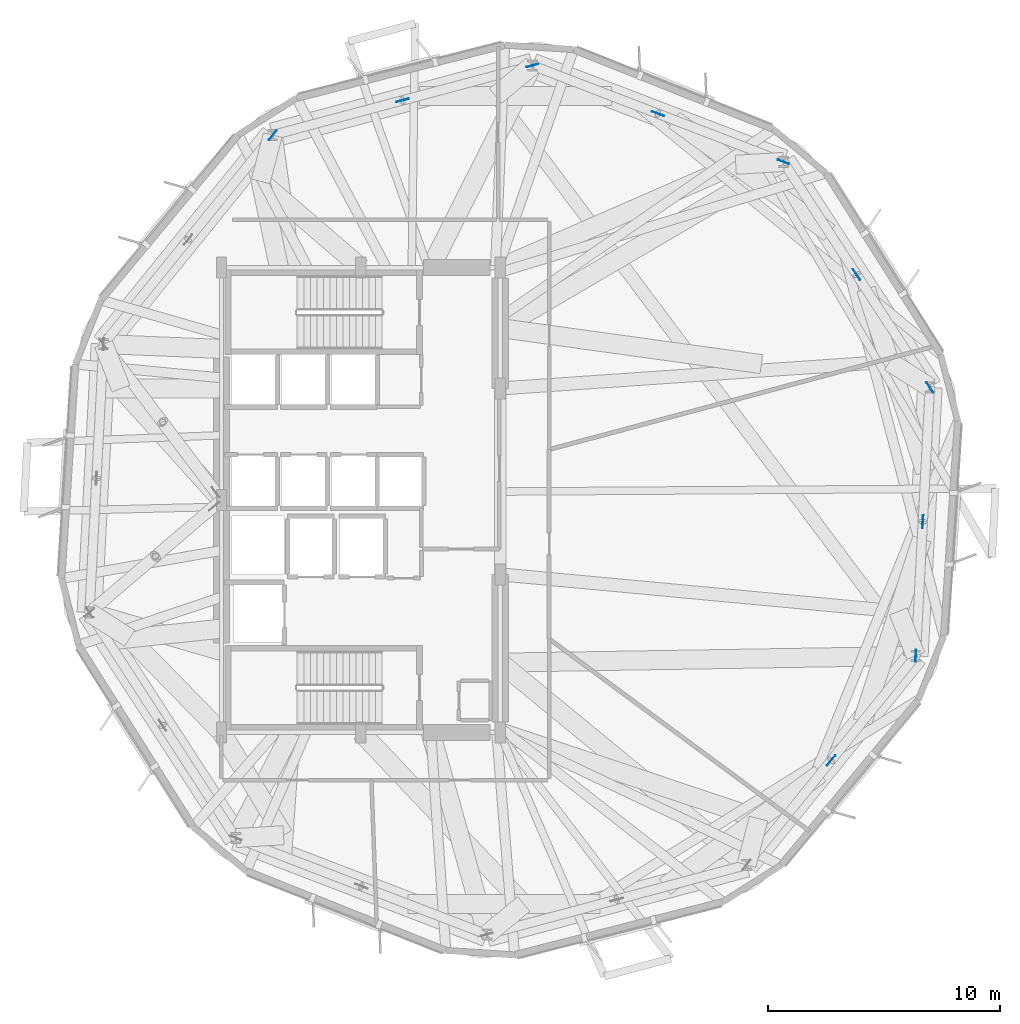
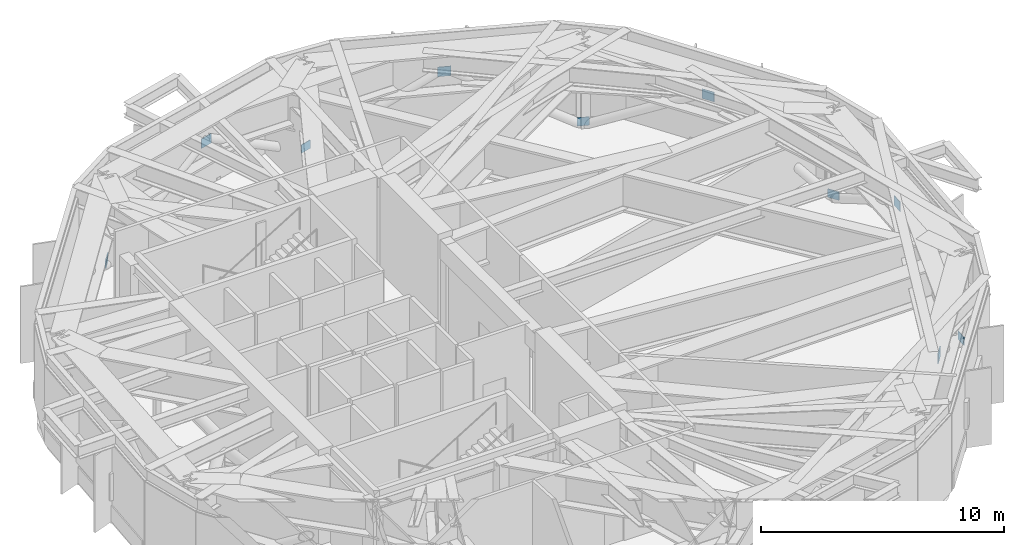
# One storey, part 7 of 13: 10 plates.
"""IFC4 building model written with IfcOpenShell, lengths in metres."""

from ifc_helpers import new_model, si_unit, direction, frame, origin, origin_2d, place, context, subcontext, project, spatial, rectangle, extrude, material, layer, layer_set, type_object, element, save


model = new_model("IFC4")

# Units and contexts
model_context = context("Model", 3, precision=1e-05, world=origin(), true_north=direction((0.0, 1.0)))
body_context = subcontext(model_context, "Body", "Model", "MODEL_VIEW")
ifc_project = project(units=[si_unit("LENGTHUNIT", "METRE"), si_unit("AREAUNIT", "SQUARE_METRE"), si_unit("VOLUMEUNIT", "CUBIC_METRE"), si_unit("PLANEANGLEUNIT", "RADIAN"), si_unit("MASSUNIT", "GRAM", prefix="KILO")], contexts=[model_context])

# Site, building, storey
site_placement = place(None, origin())
site = spatial("IfcSite", under=ifc_project, at=site_placement, CompositionType="ELEMENT")
building_placement = place(site_placement, origin())
building = spatial("IfcBuilding", under=site, at=building_placement, Name="Soratama Intermodal Tower", CompositionType="ELEMENT")
storey_placement = place(building_placement, frame((0.0, 0.0, 82.60009765625)))
storey = spatial("IfcBuildingStorey", under=building, at=storey_placement, Name="L19", CompositionType="ELEMENT", Elevation=82.60009765625)

# Plates
ifc_material = material(Name="Structural steel ASTM A992 Grade 50", Category="steel")
ifc_layer = layer(ifc_material, 0.030029296875)
ifc_layer_set = layer_set([ifc_layer], Name="Structural steel ASTM A992 Grade 50")
plate_type = type_object("IfcPlateType", Name="PL-GUSSET-30", PredefinedType="USERDEFINED", material=ifc_layer_set)
plate_1_placement = place(storey_placement, frame((59.931396484375, 34.696533203125, 3.099853515625), z_axis=(0.0, 0.0, 1.0), x_axis=(-0.544639035015, 0.838670567945, 0.0)))
element("IfcPlate", 1, at=plate_1_placement, inside=storey, type_object=plate_type, Name="L19 Belt Truss Apex Gusset 01", ObjectType="GUSSET PLATE", PredefinedType="USERDEFINED", context=body_context, shape_type="SweptSolid", body=[
    extrude(rectangle(XDim=0.56005859375, YDim=0.030029296875, at=origin_2d()), origin(), (0.0, 0.0, 1.0), 0.47998046875),
])
plate_2_placement = place(storey_placement, frame((63.08203125, 29.84521484375, -0.02001953125), z_axis=(0.0, 0.0, 1.0), x_axis=(-0.544639035015, 0.838670567945, 0.0)))
element("IfcPlate", 2, at=plate_2_placement, inside=storey, type_object=plate_type, Name="L19 Belt Truss Foot Gusset 01", ObjectType="GUSSET PLATE", PredefinedType="USERDEFINED", context=body_context, shape_type="SweptSolid", body=[
    extrude(rectangle(XDim=0.52001953125, YDim=0.030029296875, at=origin_2d()), origin(), (0.0, 0.0, 1.0), 0.419921875),
])
plate_3_placement = place(storey_placement, frame((51.38037109375, 41.621337890625, 3.099853515625), z_axis=(0.0, 0.0, 1.0), x_axis=(-0.933580426497, 0.358367949545, 0.0)))
element("IfcPlate", 3, at=plate_3_placement, inside=storey, type_object=plate_type, Name="L19 Belt Truss Apex Gusset 02", ObjectType="GUSSET PLATE", PredefinedType="USERDEFINED", context=body_context, shape_type="SweptSolid", body=[
    extrude(rectangle(XDim=0.56005859375, YDim=0.030029296875, at=origin_2d()), origin(), (0.0, 0.0, 1.0), 0.47998046875),
])
plate_4_placement = place(storey_placement, frame((56.781005859375, 39.548095703125, -0.02001953125), z_axis=(0.0, 0.0, 1.0), x_axis=(-0.933580426497, 0.358367949545, 0.0)))
element("IfcPlate", 4, at=plate_4_placement, inside=storey, type_object=plate_type, Name="L19 Belt Truss Foot Gusset 02", ObjectType="GUSSET PLATE", PredefinedType="USERDEFINED", context=body_context, shape_type="SweptSolid", body=[
    extrude(rectangle(XDim=0.52001953125, YDim=0.030029296875, at=origin_2d()), origin(), (0.0, 0.0, 1.0), 0.419921875),
])
plate_5_placement = place(storey_placement, frame((40.39208984375, 42.197021484375, 3.099853515625), z_axis=(0.0, 0.0, 1.0), x_axis=(-0.965925826289, -0.258819045103, 0.0)))
element("IfcPlate", 5, at=plate_5_placement, inside=storey, type_object=plate_type, Name="L19 Belt Truss Apex Gusset 03", ObjectType="GUSSET PLATE", PredefinedType="USERDEFINED", context=body_context, shape_type="SweptSolid", body=[
    extrude(rectangle(XDim=0.56005859375, YDim=0.030029296875, at=origin_2d()), origin(), (0.0, 0.0, 1.0), 0.47998046875),
])
for number, where, z_axis, x_axis, name in (
    (6, (45.979736328125, 43.6943359375, -0.02001953125), (0.0, 0.0, 1.0), (-0.965925826289, -0.258819045103, 0.0), "L19 Belt Truss Foot Gusset 03"),
    (7, (34.804443359375, 40.699951171875, -0.02001953125), (0.0, 0.0, 1.0), (-0.62932039105, -0.777145961457, 0.0), "L19 Belt Truss Foot Gusset 04"),
):
    element("IfcPlate", number, at=place(storey_placement, frame(where, z_axis=z_axis, x_axis=x_axis)), inside=storey, type_object=plate_type, Name=name, ObjectType="GUSSET PLATE", PredefinedType="USERDEFINED", context=body_context, shape_type="SweptSolid", body=[
        extrude(rectangle(XDim=0.52001953125, YDim=0.030029296875, at=origin_2d()), origin(), (0.0, 0.0, 1.0), 0.419921875),
    ])
for number, where, z_axis, x_axis, name in (
    (8, (58.836181640625, 13.795654296875, 3.099853515625), (0.0, 0.0, 1.0), (0.62932039105, 0.777145961457, 0.0), "L19 Belt Truss Apex Gusset 09"),
    (9, (62.779296875, 24.068115234375, 3.099853515625), (0.0, 0.0, 1.0), (0.052335956243, 0.998629534755, 0.0), "L19 Belt Truss Apex Gusset 10"),
):
    element("IfcPlate", number, at=place(storey_placement, frame(where, z_axis=z_axis, x_axis=x_axis)), inside=storey, type_object=plate_type, Name=name, ObjectType="GUSSET PLATE", PredefinedType="USERDEFINED", context=body_context, shape_type="SweptSolid", body=[
        extrude(rectangle(XDim=0.56005859375, YDim=0.030029296875, at=origin_2d()), origin(), (0.0, 0.0, 1.0), 0.47998046875),
    ])
plate_6_placement = place(storey_placement, frame((62.4765625, 18.29150390625, -0.02001953125), z_axis=(0.0, 0.0, 1.0), x_axis=(0.052335956243, 0.998629534755, 0.0)))
element("IfcPlate", 10, at=plate_6_placement, inside=storey, type_object=plate_type, Name="L19 Belt Truss Foot Gusset 10", ObjectType="GUSSET PLATE", PredefinedType="USERDEFINED", context=body_context, shape_type="SweptSolid", body=[
    extrude(rectangle(XDim=0.52001953125, YDim=0.030029296875, at=origin_2d()), origin(), (0.0, 0.0, 1.0), 0.419921875),
])

save(model, "model.ifc")
